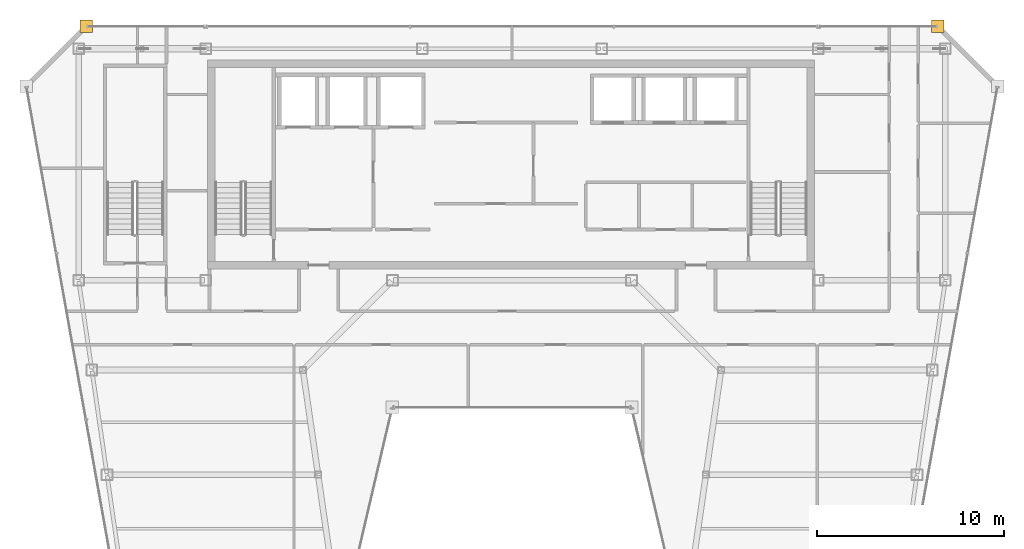
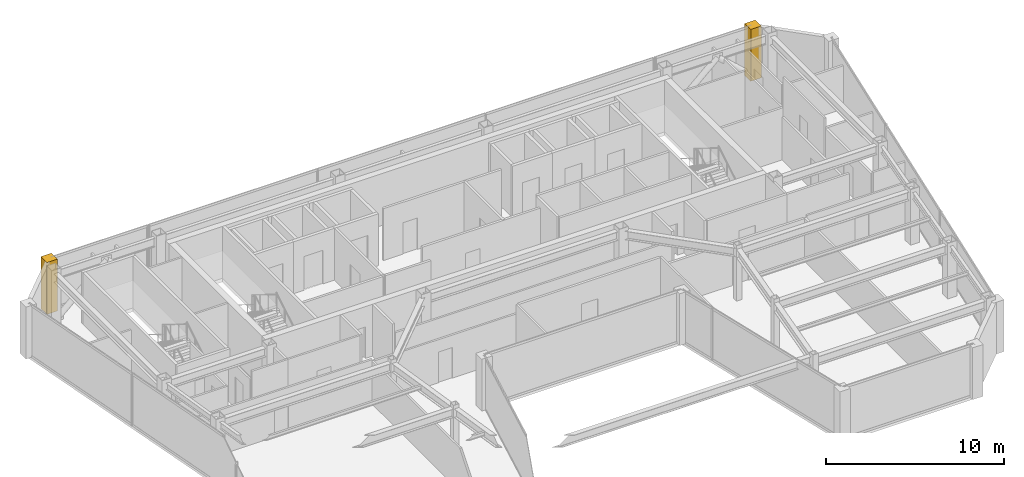
# One storey, part 32 of 32: 2 coverings.
"""IFC4 building model written with IfcOpenShell, lengths in metres."""

from ifc_helpers import new_model, si_unit, direction, frame, origin, place, context, subcontext, project, spatial, polyline, outline, extrude, material, layer, layer_set, type_object, element, save


model = new_model("IFC4")

# Units and contexts
model_context = context("Model", 3, precision=1e-05, world=origin(), true_north=direction((0.0, 1.0)))
body_context = subcontext(model_context, "Body", "Model", "MODEL_VIEW")
ifc_project = project(units=[si_unit("LENGTHUNIT", "METRE"), si_unit("AREAUNIT", "SQUARE_METRE"), si_unit("VOLUMEUNIT", "CUBIC_METRE"), si_unit("PLANEANGLEUNIT", "RADIAN"), si_unit("MASSUNIT", "GRAM", prefix="KILO")], contexts=[model_context])

# Site, building, storey
site_placement = place(None, origin())
site = spatial("IfcSite", under=ifc_project, at=site_placement, CompositionType="ELEMENT")
building_placement = place(site_placement, origin())
building = spatial("IfcBuilding", under=site, at=building_placement, Name="Saevonmaru Cultural Tower", CompositionType="ELEMENT")
storey_placement = place(building_placement, frame((0.0, 0.0, 264.800048828125)))
storey = spatial("IfcBuildingStorey", under=building, at=storey_placement, Name="L62", CompositionType="ELEMENT", Elevation=264.800048828125)

# Coverings
ifc_material = material(Name="Satin Bronze Anodised Aluminium", Category="aluminium")
ifc_layer = layer(ifc_material, 0.679931640625, Name="Satin Bronze Anodised Aluminium")
ifc_layer_set = layer_set([ifc_layer], Name="Satin Bronze Anodised Aluminium")
covering_type = type_object("IfcCoveringType", Name="CV-CORNER-CLAD", PredefinedType="CLADDING", material=ifc_layer_set)
covering_1_placement = place(storey_placement, origin())
element("IfcCovering", 1, at=covering_1_placement, inside=storey, type_object=covering_type, Name="L62 Tower Bronze Corner Cladding Pier 10", PredefinedType="CLADDING", context=body_context, shape_type="SweptSolid", body=[
    extrude(outline(polyline([(52.4599609375, 55.659912109375), (53.139892578125, 55.659912109375), (53.139892578125, 56.340087890625), (52.4599609375, 56.340087890625), (52.4599609375, 55.659912109375)])), origin(), (0.0, 0.0, 1.0), 3.550048828125),
])
covering_2_placement = place(storey_placement, origin())
element("IfcCovering", 2, at=covering_2_placement, inside=storey, type_object=covering_type, Name="L62 Tower Bronze Corner Cladding Pier 11", PredefinedType="CLADDING", context=body_context, shape_type="SweptSolid", body=[
    extrude(outline(polyline([(6.860107421875, 55.659912109375), (7.5400390625, 55.659912109375), (7.5400390625, 56.340087890625), (6.860107421875, 56.340087890625), (6.860107421875, 55.659912109375)])), origin(), (0.0, 0.0, 1.0), 3.550048828125),
])

save(model, "model.ifc")
